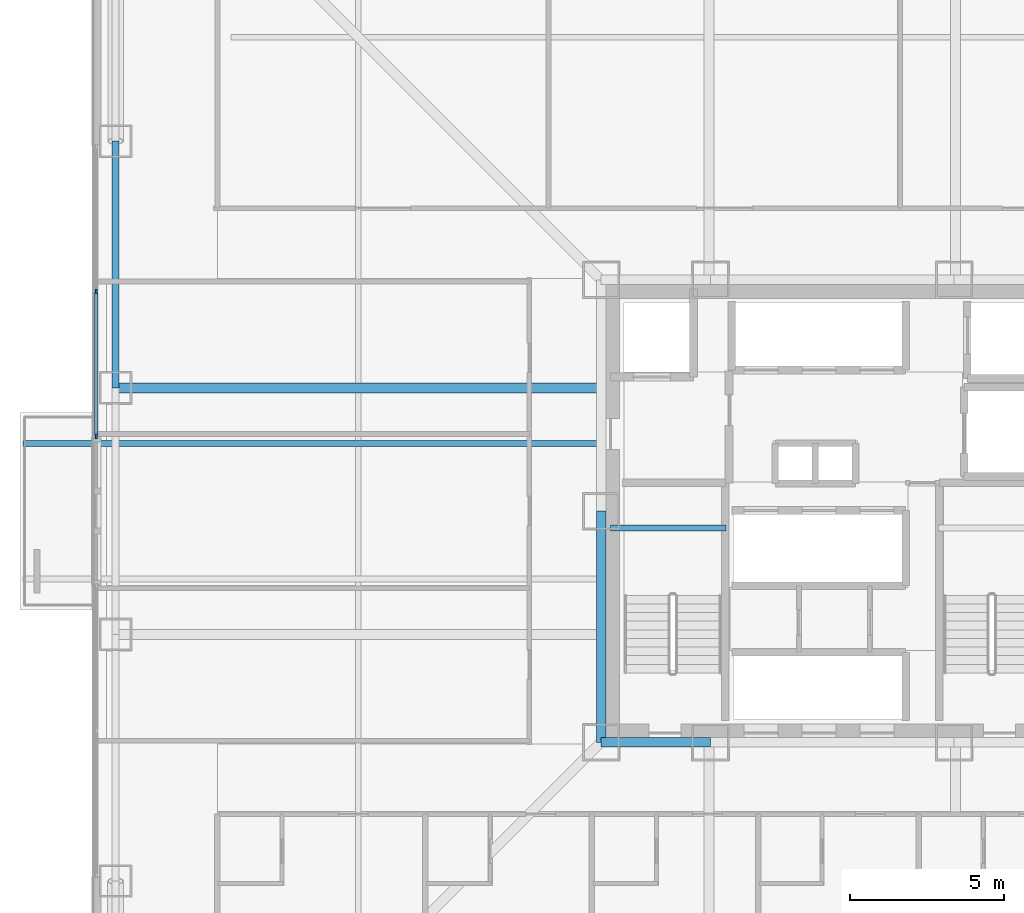
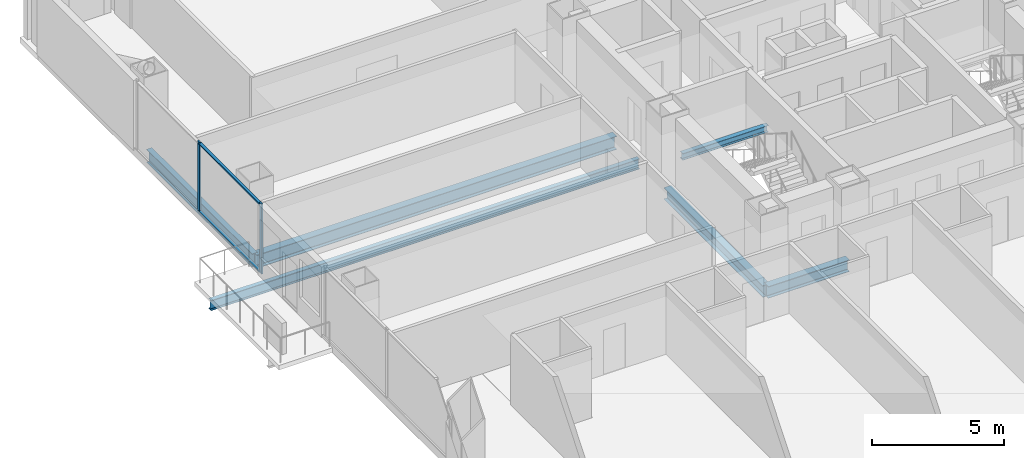
# One storey, part 6 of 20: 6 beams, 4 members, 1 element without a shape of its own.
"""IFC4 building model written with IfcOpenShell, lengths in metres."""

import ifcopenshell
import ifcopenshell.guid

model = None  # the IFC model being written
_history = None  # IfcOwnerHistory: only IFC2X3 demands one
_inside = {}  # id of a spatial element -> (the spatial element, [elements in it])
_under = {}  # id of a project, library or spatial element -> (it, [spatial elements below it])
_declared = {}  # id of a project -> (the project, [libraries it declares])
_typed = {}  # id of a type object -> (the type object, [elements of that type])
_made_of = {}  # id of a material, layer set ... -> (it, [elements and type objects made of it])


def new_model(schema):
    """Start an empty IFC model of exactly this schema.

    Asked for "IFC4X3", IfcOpenShell would pick the latest addendum, in which some entities
    have other attributes; the version numbers below select the first issue.
    IFC2X3 requires an IfcOwnerHistory on every rooted entity: one is made here for all.
    """
    global model, _history
    if schema == "IFC4X3":
        model = ifcopenshell.file(schema_version=(4, 3, 0, 0))
    else:
        model = ifcopenshell.file(schema=schema)
    _inside.clear()
    _under.clear()
    _declared.clear()
    _typed.clear()
    _made_of.clear()
    _history = None
    if model.schema == "IFC2X3":
        org = make("IfcOrganization", Name="unknown")
        user = make(
            "IfcPersonAndOrganization",
            ThePerson=make("IfcPerson", FamilyName="unknown"),
            TheOrganization=org,
        )
        app = make(
            "IfcApplication",
            ApplicationDeveloper=org,
            Version="unknown",
            ApplicationFullName="unknown",
            ApplicationIdentifier="unknown",
        )
        _history = make(
            "IfcOwnerHistory",
            OwningUser=user,
            OwningApplication=app,
            ChangeAction="ADDED",
            CreationDate=0,
        )
    return model


def make(cls, **values):
    """One entity of the class cls with the attributes given. An attribute that is None is left unset."""
    return model.create_entity(
        cls, **{name: value for name, value in values.items() if value is not None}
    )


def rooted(cls, **values):
    """An entity with a GlobalId (a new one), such as an element, a storey or a relation."""
    return make(cls, GlobalId=ifcopenshell.guid.new(), OwnerHistory=_history, **values)


def si_unit(unit_type, name, prefix=None):
    """IfcSIUnit, for example si_unit("LENGTHUNIT", "METRE", prefix="MILLI")."""
    return make("IfcSIUnit", UnitType=unit_type, Prefix=prefix, Name=name)


def assignment(units):
    """IfcUnitAssignment: the units of a project."""
    return None if units is None else make("IfcUnitAssignment", Units=units)


def point(xyz):
    """IfcCartesianPoint."""
    return None if xyz is None else make("IfcCartesianPoint", Coordinates=xyz)


def direction(xyz):
    """IfcDirection."""
    return None if xyz is None else make("IfcDirection", DirectionRatios=xyz)


def frame(location, z_axis=None, x_axis=None):
    """IfcAxis2Placement3D, a coordinate frame: its origin and axes. An axis left out is left unset."""
    return make(
        "IfcAxis2Placement3D",
        Location=point(location),
        Axis=direction(z_axis),
        RefDirection=direction(x_axis),
    )


def frame_2d(location, x_axis=None):
    """IfcAxis2Placement2D, a coordinate frame in the plane: its origin and x axis."""
    return make(
        "IfcAxis2Placement2D", Location=point(location), RefDirection=direction(x_axis)
    )


def origin():
    """The frame at (0, 0, 0) with its axes left unset."""
    return frame((0.0, 0.0, 0.0))


def origin_2d():
    """The frame at (0, 0) in the plane with its x axis left unset."""
    return frame_2d((0.0, 0.0))


def place(relative_to, where):
    """IfcLocalPlacement: puts the frame where relative to a parent placement (None: the world)."""
    return make(
        "IfcLocalPlacement", PlacementRelTo=relative_to, RelativePlacement=where
    )


def context(
    kind, dimensions, precision=None, world=None, true_north=None, identifier=None
):
    """IfcGeometricRepresentationContext, for example the 3D "Model" context."""
    return make(
        "IfcGeometricRepresentationContext",
        ContextIdentifier=identifier,
        ContextType=kind,
        CoordinateSpaceDimension=dimensions,
        Precision=precision,
        WorldCoordinateSystem=world,
        TrueNorth=true_north,
    )


def subcontext(parent, identifier, kind, view, scale=None):
    """IfcGeometricRepresentationSubContext, for example "Body" below "Model"."""
    return make(
        "IfcGeometricRepresentationSubContext",
        ContextIdentifier=identifier,
        ContextType=kind,
        ParentContext=parent,
        TargetScale=scale,
        TargetView=view,
    )


def project(units=None, contexts=None):
    """IfcProject with its units and contexts."""
    return rooted(
        "IfcProject",
        Name="project",
        RepresentationContexts=contexts,
        UnitsInContext=assignment(units),
    )


def spatial(cls, under=None, at=None, **own):
    """A site, building, storey or space (cls), placed at a placement, below another one or the project."""
    s = rooted(cls, ObjectPlacement=at, **own)
    if under is not None:
        _under.setdefault(under.id(), (under, []))[1].append(s)
    return s


def profile(cls, at=None, kind="AREA", **sizes):
    """A parametric profile (cls). Its sizes go by their IFC names, for example OverallWidth=200.0."""
    return make(cls, ProfileType=kind, Position=at, **sizes)


def rectangle(**sizes):
    """IfcRectangleProfileDef."""
    return profile("IfcRectangleProfileDef", **sizes)


def i_section(**sizes):
    """IfcIShapeProfileDef."""
    return profile("IfcIShapeProfileDef", **sizes)


def extrude(swept, where, along, depth):
    """IfcExtrudedAreaSolid: the profile swept, set in the frame where, extruded along a direction by depth."""
    return make(
        "IfcExtrudedAreaSolid",
        SweptArea=swept,
        Position=where,
        ExtrudedDirection=direction(along),
        Depth=depth,
    )


def shape(context_of_items, identifier, shape_type, items):
    """IfcShapeRepresentation: the items that make up one representation, for example the "Body"."""
    return make(
        "IfcShapeRepresentation",
        ContextOfItems=context_of_items,
        RepresentationIdentifier=identifier,
        RepresentationType=shape_type,
        Items=items,
    )


def material(Name=None, Category=None):
    """IfcMaterial."""
    return make("IfcMaterial", Name=Name, Category=Category)


def layer(
    of_material, thickness, ventilated=None, Name=None, Category=None, Priority=None
):
    """IfcMaterialLayer: one layer of a wall or slab, of a material (None: an air gap)."""
    return make(
        "IfcMaterialLayer",
        Material=of_material,
        LayerThickness=thickness,
        IsVentilated=ventilated,
        Name=Name,
        Category=Category,
        Priority=Priority,
    )


def layer_set(layers, Name=None):
    """IfcMaterialLayerSet."""
    return make("IfcMaterialLayerSet", MaterialLayers=layers, LayerSetName=Name)


def material_profile(
    of_material, cross_section, Name=None, Category=None, Priority=None
):
    """IfcMaterialProfile: a cross section and its material."""
    return make(
        "IfcMaterialProfile",
        Name=Name,
        Material=of_material,
        Profile=cross_section,
        Priority=Priority,
        Category=Category,
    )


def profile_set(profiles, Name=None, composite=None):
    """IfcMaterialProfileSet."""
    return make(
        "IfcMaterialProfileSet",
        Name=Name,
        MaterialProfiles=profiles,
        CompositeProfile=composite,
    )


def made_of(thing, what):
    """Note that an element or type object is made of a material, layer set ...; save() writes the relation."""
    if what is not None:
        _made_of.setdefault(what.id(), (what, []))[1].append(thing)
    return thing


def type_object(cls, material=None, **own):
    """A type object (cls), such as IfcWallType, which elements share."""
    return made_of(rooted(cls, **own), material)


def element(
    cls,
    number,
    at=None,
    inside=None,
    cuts=None,
    type_object=None,
    material=None,
    context=None,
    identifier="Body",
    shape_type=None,
    held_by="IfcProductDefinitionShape",
    body=None,
    shapes=None,
    **own,
):
    """One element of the class cls, such as IfcWall. Its Tag is "e" and its number.

    at: its placement. inside: the storey or other place that contains it. cuts: it is an
    opening in that element (IfcRelVoidsElement). A single representation is given by context,
    identifier, shape_type and body (its items); several are given by shapes. held_by: the class
    of the entity that holds the representations. save() writes the other relations.
    """
    e = rooted(cls, Tag="e%d" % number, ObjectPlacement=at, **own)
    if body is not None:
        shapes = [shape(context, identifier, shape_type, body)]
    if shapes is not None:
        e.Representation = make(held_by, Representations=shapes)
    if inside is not None:
        _inside.setdefault(inside.id(), (inside, []))[1].append(e)
    if cuts is not None:
        rooted(
            "IfcRelVoidsElement", RelatingBuildingElement=cuts, RelatedOpeningElement=e
        )
    if type_object is not None:
        _typed.setdefault(type_object.id(), (type_object, []))[1].append(e)
    return made_of(e, material)


def aggregate(whole, parts):
    """IfcRelAggregates: a whole, such as a stair, and the parts it consists of."""
    return rooted("IfcRelAggregates", RelatingObject=whole, RelatedObjects=parts)


def save(model, path):
    """Write the relations noted so far, then the file.

    IfcRelAggregates (storeys below a building ...), IfcRelContainedInSpatialStructure (elements
    in a storey), IfcRelDefinesByType, IfcRelAssociatesMaterial and IfcRelDeclares: one each for
    every whole, place, type object, material and project.
    """
    for whole, parts in _under.values():
        aggregate(whole, parts)
    for where, things in _inside.values():
        rooted(
            "IfcRelContainedInSpatialStructure",
            RelatedElements=things,
            RelatingStructure=where,
        )
    for kind, things in _typed.values():
        rooted("IfcRelDefinesByType", RelatedObjects=things, RelatingType=kind)
    for what, things in _made_of.values():
        rooted("IfcRelAssociatesMaterial", RelatedObjects=things, RelatingMaterial=what)
    for by, libraries in _declared.values():
        rooted("IfcRelDeclares", RelatingContext=by, RelatedDefinitions=libraries)
    model.write(path)


model = new_model("IFC4")

# Units and contexts
model_context = context("Model", 3, precision=1e-05, world=origin(), true_north=direction((0.0, 1.0)))
body_context = subcontext(model_context, "Body", "Model", "MODEL_VIEW")
ifc_project = project(units=[si_unit("LENGTHUNIT", "METRE"), si_unit("AREAUNIT", "SQUARE_METRE"), si_unit("VOLUMEUNIT", "CUBIC_METRE"), si_unit("PLANEANGLEUNIT", "RADIAN"), si_unit("MASSUNIT", "GRAM", prefix="KILO")], contexts=[model_context])

# Site, building, storey
site_placement = place(None, origin())
site = spatial("IfcSite", under=ifc_project, at=site_placement, CompositionType="ELEMENT")
building_placement = place(site_placement, origin())
building = spatial("IfcBuilding", under=site, at=building_placement, Name="Trevonay Congress Spire", CompositionType="ELEMENT")
storey_placement = place(building_placement, frame((0.0, 0.0, 76.0)))
storey = spatial("IfcBuildingStorey", under=building, at=storey_placement, Name="L19", CompositionType="ELEMENT", Elevation=76.0)

# Beams
ifc_material_1 = material(Name="Steel ASTM A572 Grade 50", Category="steel")
ifc_material_profile_1 = material_profile(ifc_material_1, i_section(OverallWidth=0.194091796875, OverallDepth=0.468994140625, WebThickness=0.011474609375, FlangeThickness=0.01953125, FilletRadius=0.013916015625, at=origin_2d()), Name="W460x106")
ifc_profile_set_1 = profile_set([ifc_material_profile_1], Name="Steel ASTM A572 Grade 50")
beam_type_1 = type_object("IfcBeamType", Name="BM-BAL-LOOKOUT", PredefinedType="BEAM", material=ifc_profile_set_1)
beam_1_placement = place(storey_placement, frame((-7.5, 2.199951171875, -0.484619140625), z_axis=(-1.0, 0.0, 0.0), x_axis=(0.0, -1.0, 0.0)))
element("IfcBeam", 1, at=beam_1_placement, inside=storey, type_object=beam_type_1, Name="L19 structural beam LKT-L19-W2", PredefinedType="BEAM", context=body_context, shape_type="SweptSolid", body=[
    extrude(i_section(OverallWidth=0.194091796875, OverallDepth=0.468994140625, WebThickness=0.011474609375, FlangeThickness=0.01953125, FilletRadius=0.013916015625, at=origin_2d()), origin(), (0.0, 0.0, 1.0), 18.75),
])
ifc_material_profile_2 = material_profile(ifc_material_1, i_section(OverallWidth=0.31201171875, OverallDepth=0.54296875, WebThickness=0.0126953125, FlangeThickness=0.020263671875, FilletRadius=0.014892578125, at=origin_2d()), Name="W530x150")
ifc_profile_set_2 = profile_set([ifc_material_profile_2], Name="Steel ASTM A572 Grade 50")
beam_type_2 = type_object("IfcBeamType", Name="BM-GIRD-W530X150", PredefinedType="BEAM", material=ifc_profile_set_2)
beam_2_placement = place(storey_placement, frame((-7.5, -7.5, -0.521484375), z_axis=(1.0, 0.0, 0.0), x_axis=(0.0, 1.0, 0.0)))
element("IfcBeam", 2, at=beam_2_placement, inside=storey, type_object=beam_type_2, Name="L19 structural beam BM-L19-CR-S1", PredefinedType="BEAM", context=body_context, shape_type="SweptSolid", body=[
    extrude(i_section(OverallWidth=0.31201171875, OverallDepth=0.54296875, WebThickness=0.0126953125, FlangeThickness=0.020263671875, FilletRadius=0.014892578125, at=origin_2d()), origin(), (0.0, 0.0, 1.0), 3.550048828125),
])
beam_3_placement = place(storey_placement, frame((-7.5, -7.5, -0.521484375), z_axis=(0.0, 1.0, 0.0), x_axis=(-1.0, 0.0, 0.0)))
element("IfcBeam", 3, at=beam_3_placement, inside=storey, type_object=beam_type_2, Name="L19 structural beam BM-L19-CR-W1", PredefinedType="BEAM", context=body_context, shape_type="SweptSolid", body=[
    extrude(i_section(OverallWidth=0.31201171875, OverallDepth=0.54296875, WebThickness=0.0126953125, FlangeThickness=0.020263671875, FilletRadius=0.014892578125, at=origin_2d()), origin(), (0.0, 0.0, 1.0), 7.5),
])
ifc_material_profile_3 = material_profile(ifc_material_1, i_section(OverallWidth=0.324951171875, OverallDepth=0.615966796875, WebThickness=0.013916015625, FlangeThickness=0.021484375, FilletRadius=0.01806640625, at=origin_2d()), Name="W610x174")
ifc_profile_set_3 = profile_set([ifc_material_profile_3], Name="Steel ASTM A572 Grade 50")
beam_type_3 = type_object("IfcBeamType", Name="BM-GIRD-W610X174", PredefinedType="BEAM", material=ifc_profile_set_3)
beam_4_placement = place(storey_placement, frame((-7.5, 4.0, -0.55810546875), z_axis=(-1.0, 0.0, 0.0), x_axis=(0.0, -1.0, 0.0)))
element("IfcBeam", 4, at=beam_4_placement, inside=storey, type_object=beam_type_3, Name="L19 structural beam BM-L19-GW-P", PredefinedType="BEAM", context=body_context, shape_type="SweptSolid", body=[
    extrude(i_section(OverallWidth=0.324951171875, OverallDepth=0.615966796875, WebThickness=0.013916015625, FlangeThickness=0.021484375, FilletRadius=0.01806640625, at=origin_2d()), origin(), (0.0, 0.0, 1.0), 15.75),
])
ifc_material_profile_4 = material_profile(ifc_material_1, i_section(OverallWidth=0.22998046875, OverallDepth=0.616943359375, WebThickness=0.01318359375, FlangeThickness=0.022216796875, FilletRadius=0.01611328125, at=origin_2d()), Name="W610x140")
ifc_profile_set_4 = profile_set([ifc_material_profile_4], Name="Steel ASTM A572 Grade 50")
beam_type_4 = type_object("IfcBeamType", Name="BM-RING-W610X140", PredefinedType="BEAM", material=ifc_profile_set_4)
beam_5_placement = place(storey_placement, frame((-23.25, 4.0, -0.55859375), z_axis=(0.0, 1.0, 0.0), x_axis=(-1.0, 0.0, 0.0)))
element("IfcBeam", 5, at=beam_5_placement, inside=storey, type_object=beam_type_4, Name="L19 structural beam BM-L19-PW4", PredefinedType="BEAM", context=body_context, shape_type="SweptSolid", body=[
    extrude(i_section(OverallWidth=0.22998046875, OverallDepth=0.616943359375, WebThickness=0.01318359375, FlangeThickness=0.022216796875, FilletRadius=0.01611328125, at=origin_2d()), origin(), (0.0, 0.0, 1.0), 8.0),
])

# Curtain wall, members
ifc_material_2 = material(Name="Pale Anodised Aluminium EN AW-6063-T6", Category="aluminium")
ifc_layer = layer(ifc_material_2, 0.179931640625, Name="Pale Anodised Aluminium EN AW-6063-T6")
ifc_layer_set = layer_set([ifc_layer], Name="Pale Anodised Aluminium EN AW-6063-T6")
curtain_wall_type = type_object("IfcCurtainWallType", Name="CW-SYS02-HOTEL-PALE-METAL", PredefinedType="NOTDEFINED", material=ifc_layer_set)
curtain_wall_placement = place(storey_placement, origin())
curtain_wall = element("IfcCurtainWall", 6, at=curtain_wall_placement, inside=storey, type_object=curtain_wall_type, Name="L19 WB unitised curtain wall", PredefinedType="NOTDEFINED")
ifc_material_profile_5 = material_profile(ifc_material_2, rectangle(XDim=0.06005859375, YDim=0.159912109375, at=origin_2d()), Name="CW-MULLION-160-ALUMINIUM")
ifc_profile_set_5 = profile_set([ifc_material_profile_5], Name="Pale Anodised Aluminium EN AW-6063-T6")
member_type_1 = type_object("IfcMemberType", Name="CW-MULLION-160-ALUMINIUM", PredefinedType="MULLION", material=ifc_profile_set_5)
member_1_placement = place(storey_placement, frame((-23.8798828125, 2.429931640625, 0.0), z_axis=(0.0, 0.0, 1.0), x_axis=(-1.0, 0.0, 0.0)))
member_1 = element("IfcMember", 7, at=member_1_placement, type_object=member_type_1, Name="CW02 mullion 1", PredefinedType="MULLION", context=body_context, shape_type="SweptSolid", body=[
    extrude(rectangle(XDim=0.06005859375, YDim=0.159912109375, at=origin_2d()), origin(), (0.0, 0.0, 1.0), 3.25),
])
member_2_placement = place(storey_placement, frame((-23.8798828125, 7.125, 0.0), z_axis=(0.0, 0.0, 1.0), x_axis=(-1.0, 0.0, 0.0)))
member_2 = element("IfcMember", 8, at=member_2_placement, type_object=member_type_1, Name="CW02 mullion 2", PredefinedType="MULLION", context=body_context, shape_type="SweptSolid", body=[
    extrude(rectangle(XDim=0.06005859375, YDim=0.159912109375, at=origin_2d()), origin(), (0.0, 0.0, 1.0), 3.25),
])
ifc_material_profile_6 = material_profile(ifc_material_2, rectangle(XDim=0.1201171875, YDim=0.06005859375, at=origin_2d()), Name="CW-TRANSOM-120-ALUMINIUM")
ifc_profile_set_6 = profile_set([ifc_material_profile_6], Name="Pale Anodised Aluminium EN AW-6063-T6")
member_type_2 = type_object("IfcMemberType", Name="CW-TRANSOM-120-ALUMINIUM", PredefinedType="USERDEFINED", material=ifc_profile_set_6)
member_3_placement = place(storey_placement, frame((-23.8798828125, 2.4599609375, 0.06005859375), z_axis=(0.0, 1.0, 0.0), x_axis=(-1.0, 0.0, 0.0)))
member_3 = element("IfcMember", 9, at=member_3_placement, type_object=member_type_2, Name="CW02 transom 1.1", ObjectType="TRANSOM", PredefinedType="USERDEFINED", context=body_context, shape_type="SweptSolid", body=[
    extrude(rectangle(XDim=0.1201171875, YDim=0.06005859375, at=origin_2d()), origin(), (0.0, 0.0, 1.0), 4.635009765625),
])
member_4_placement = place(storey_placement, frame((-23.8798828125, 2.4599609375, 3.18994140625), z_axis=(0.0, 1.0, 0.0), x_axis=(-1.0, 0.0, 0.0)))
member_4 = element("IfcMember", 10, at=member_4_placement, type_object=member_type_2, Name="CW02 transom 1.2", ObjectType="TRANSOM", PredefinedType="USERDEFINED", context=body_context, shape_type="SweptSolid", body=[
    extrude(rectangle(XDim=0.1201171875, YDim=0.06005859375, at=origin_2d()), origin(), (0.0, 0.0, 1.0), 4.635009765625),
])
aggregate(curtain_wall, [member_1, member_2, member_3, member_4])

# Beam
ifc_material_profile_7 = material_profile(ifc_material_1, i_section(OverallWidth=0.2041015625, OverallDepth=0.305908203125, WebThickness=0.008544921875, FlangeThickness=0.0146484375, FilletRadius=0.010986328125, at=origin_2d()), Name="W310x67")
ifc_profile_set_7 = profile_set([ifc_material_profile_7], Name="Steel ASTM A572 Grade 50")
beam_type_5 = type_object("IfcBeamType", Name="LN-CORE-W310X67", PredefinedType="LINTEL", material=ifc_profile_set_7)
beam_6_placement = place(storey_placement, frame((-7.199951171875, -0.550048828125, 1.39697265625), z_axis=(1.0, 0.0, 0.0), x_axis=(0.0, 1.0, 0.0)))
element("IfcBeam", 11, at=beam_6_placement, inside=storey, type_object=beam_type_5, Name="L19 structural beam BM-L19-HL-ST1", PredefinedType="LINTEL", context=body_context, shape_type="SweptSolid", body=[
    extrude(i_section(OverallWidth=0.2041015625, OverallDepth=0.305908203125, WebThickness=0.008544921875, FlangeThickness=0.0146484375, FilletRadius=0.010986328125, at=origin_2d()), origin(), (0.0, 0.0, 1.0), 3.75),
])

save(model, "model.ifc")
